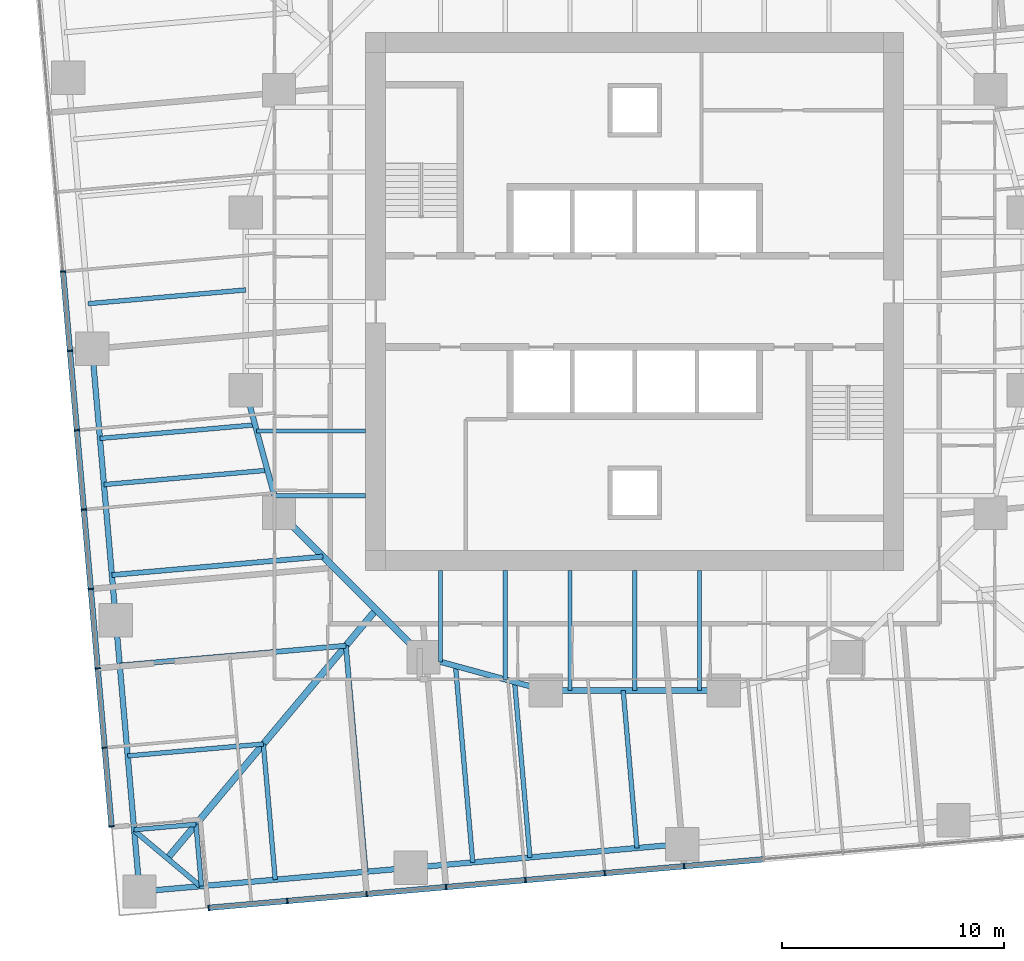
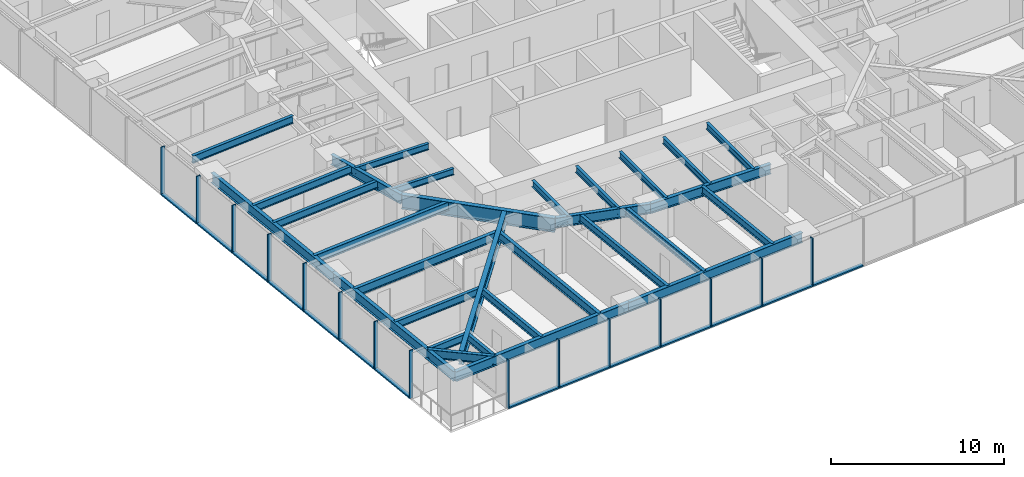
# One storey, part 2 of 14: 30 beams, 29 members, 2 elements without a shape of their own.
"""IFC4 building model written with IfcOpenShell, lengths in metres."""

from ifc_helpers import new_model, si_unit, direction, frame, origin, origin_2d, place, context, subcontext, project, spatial, rectangle, i_section, extrude, material, material_profile, profile_set, type_object, element, aggregate, save


model = new_model("IFC4")

# Units and contexts
model_context = context("Model", 3, precision=1e-05, world=origin(), true_north=direction((0.0, 1.0)))
body_context = subcontext(model_context, "Body", "Model", "MODEL_VIEW")
ifc_project = project(units=[si_unit("LENGTHUNIT", "METRE"), si_unit("AREAUNIT", "SQUARE_METRE"), si_unit("VOLUMEUNIT", "CUBIC_METRE"), si_unit("PLANEANGLEUNIT", "RADIAN"), si_unit("MASSUNIT", "GRAM", prefix="KILO")], contexts=[model_context])

# Site, building, storey
site_placement = place(None, origin())
site = spatial("IfcSite", under=ifc_project, at=site_placement, CompositionType="ELEMENT")
building_placement = place(site_placement, origin())
building = spatial("IfcBuilding", under=site, at=building_placement, Name="Torsade Residences", CompositionType="ELEMENT")
storey_placement = place(building_placement, frame((0.0, 0.0, 60.800048828125)))
storey = spatial("IfcBuildingStorey", under=building, at=storey_placement, Name="L16", CompositionType="ELEMENT", Elevation=60.800048828125)

# Beams
ifc_material_1 = material(Name="Steel grade 300", Category="steel")
ifc_material_profile_1 = material_profile(ifc_material_1, i_section(OverallWidth=0.300048828125, OverallDepth=0.89990234375, WebThickness=0.011962890625, FlangeThickness=0.02490234375, at=origin_2d()), Name="900WB175")
ifc_profile_set_1 = profile_set([ifc_material_profile_1], Name="Steel grade 300")
beam_type_1 = type_object("IfcBeamType", Name="CORNER GIRDER 900WB175", PredefinedType="BEAM", material=ifc_profile_set_1)
beam_1_placement = place(storey_placement, frame((18.978515625, 4.947509765625, 2.800048828125), z_axis=(0.642785419012, 0.766046281307, 0.0), x_axis=(-0.766046281307, 0.642785419012, 0.0)))
element("IfcBeam", 1, at=beam_1_placement, inside=storey, type_object=beam_type_1, Name="Corner girder 01 L17", PredefinedType="BEAM", context=body_context, shape_type="SweptSolid", body=[
    extrude(i_section(OverallWidth=0.300048828125, OverallDepth=0.89990234375, WebThickness=0.011962890625, FlangeThickness=0.02490234375, at=origin_2d()), origin(), (0.0, 0.0, 1.0), 14.603515625),
])
ifc_material_2 = material(Name="Steel grade 300", Category="steel")
ifc_material_profile_2 = material_profile(ifc_material_2, i_section(OverallWidth=0.22802734375, OverallDepth=0.60205078125, WebThickness=0.010498046875, FlangeThickness=0.014892578125, FilletRadius=0.013916015625, at=origin_2d()), Name="610UB101")
ifc_profile_set_2 = profile_set([ifc_material_profile_2], Name="Steel grade 300")
beam_type_2 = type_object("IfcBeamType", Name="CORNER TRIMMER 610UB101", PredefinedType="BEAM", material=ifc_profile_set_2)
beam_2_placement = place(storey_placement, frame((20.468017578125, 3.697509765625, 2.948974609375), z_axis=(-0.766030001697, 0.642804819911, 0.0), x_axis=(-0.642804819911, -0.766030001697, 0.0)))
element("IfcBeam", 2, at=beam_2_placement, inside=storey, type_object=beam_type_2, Name="Corner trimmer 01 L17", PredefinedType="BEAM", context=body_context, shape_type="SweptSolid", body=[
    extrude(i_section(OverallWidth=0.22802734375, OverallDepth=0.60205078125, WebThickness=0.010498046875, FlangeThickness=0.014892578125, FilletRadius=0.013916015625, at=origin_2d()), origin(), (0.0, 0.0, 1.0), 3.88916015625),
])

# Curtain wall, members
ifc_material_3 = material(Name="Aluminium and glass", Category="aluminium")
curtain_wall_type = type_object("IfcCurtainWallType", Name="FRITTED GLASS CURTAIN WALL LOW ZONE", PredefinedType="NOTDEFINED", material=ifc_material_3)
curtain_wall_1_placement = place(storey_placement, origin())
curtain_wall_1 = element("IfcCurtainWall", 3, at=curtain_wall_1_placement, inside=storey, type_object=curtain_wall_type, Name="Curtain wall L16 face 1", PredefinedType="NOTDEFINED")
ifc_material_4 = material(Name="Aluminium mullion", Category="aluminium")
ifc_material_profile_3 = material_profile(ifc_material_4, rectangle(XDim=0.25, YDim=0.06494140625, at=origin_2d()), Name="CURTAIN WALL MULLION 250x65")
ifc_profile_set_3 = profile_set([ifc_material_profile_3], Name="Aluminium mullion")
member_type_1 = type_object("IfcMemberType", Name="CURTAIN WALL MULLION 250x65", PredefinedType="MULLION", material=ifc_profile_set_3)
member_1_placement = place(storey_placement, frame((20.836669921875, 2.72607421875, 0.0), z_axis=(0.0, 0.0, 1.0), x_axis=(-0.087155744208, 0.996194697964, 0.0)))
member_1 = element("IfcMember", 4, at=member_1_placement, type_object=member_type_1, Name="Mullion 1", PredefinedType="MULLION", context=body_context, shape_type="SweptSolid", body=[
    extrude(rectangle(XDim=0.25, YDim=0.06494140625, at=origin_2d()), origin(), (0.0, 0.0, 1.0), 3.39990234375),
])
member_2_placement = place(storey_placement, frame((24.3740234375, 3.035400390625, 0.0), z_axis=(0.0, 0.0, 1.0), x_axis=(-0.087155744208, 0.996194697964, 0.0)))
member_2 = element("IfcMember", 5, at=member_2_placement, type_object=member_type_1, Name="Mullion 2", PredefinedType="MULLION", context=body_context, shape_type="SweptSolid", body=[
    extrude(rectangle(XDim=0.25, YDim=0.06494140625, at=origin_2d()), origin(), (0.0, 0.0, 1.0), 3.39990234375),
])
member_3_placement = place(storey_placement, frame((27.943603515625, 3.347900390625, 0.0), z_axis=(0.0, 0.0, 1.0), x_axis=(-0.087155744208, 0.996194697964, 0.0)))
member_3 = element("IfcMember", 6, at=member_3_placement, type_object=member_type_1, Name="Mullion 3", PredefinedType="MULLION", context=body_context, shape_type="SweptSolid", body=[
    extrude(rectangle(XDim=0.25, YDim=0.06494140625, at=origin_2d()), origin(), (0.0, 0.0, 1.0), 3.39990234375),
])
member_4_placement = place(storey_placement, frame((31.513427734375, 3.66015625, 0.0), z_axis=(0.0, 0.0, 1.0), x_axis=(-0.087155744208, 0.996194697964, 0.0)))
member_4 = element("IfcMember", 7, at=member_4_placement, type_object=member_type_1, Name="Mullion 4", PredefinedType="MULLION", context=body_context, shape_type="SweptSolid", body=[
    extrude(rectangle(XDim=0.25, YDim=0.06494140625, at=origin_2d()), origin(), (0.0, 0.0, 1.0), 3.39990234375),
])
member_5_placement = place(storey_placement, frame((35.0830078125, 3.972412109375, 0.0), z_axis=(0.0, 0.0, 1.0), x_axis=(-0.087155744208, 0.996194697964, 0.0)))
member_5 = element("IfcMember", 8, at=member_5_placement, type_object=member_type_1, Name="Mullion 5", PredefinedType="MULLION", context=body_context, shape_type="SweptSolid", body=[
    extrude(rectangle(XDim=0.25, YDim=0.06494140625, at=origin_2d()), origin(), (0.0, 0.0, 1.0), 3.39990234375),
])
member_6_placement = place(storey_placement, frame((38.65283203125, 4.28466796875, 0.0), z_axis=(0.0, 0.0, 1.0), x_axis=(-0.087155744208, 0.996194697964, 0.0)))
member_6 = element("IfcMember", 9, at=member_6_placement, type_object=member_type_1, Name="Mullion 6", PredefinedType="MULLION", context=body_context, shape_type="SweptSolid", body=[
    extrude(rectangle(XDim=0.25, YDim=0.06494140625, at=origin_2d()), origin(), (0.0, 0.0, 1.0), 3.39990234375),
])
member_7_placement = place(storey_placement, frame((42.222412109375, 4.596923828125, 0.0), z_axis=(0.0, 0.0, 1.0), x_axis=(-0.087155744208, 0.996194697964, 0.0)))
member_7 = element("IfcMember", 10, at=member_7_placement, type_object=member_type_1, Name="Mullion 7", PredefinedType="MULLION", context=body_context, shape_type="SweptSolid", body=[
    extrude(rectangle(XDim=0.25, YDim=0.06494140625, at=origin_2d()), origin(), (0.0, 0.0, 1.0), 3.39990234375),
])

curtain_wall_2_placement = place(storey_placement, origin())
curtain_wall_2 = element("IfcCurtainWall", 11, at=curtain_wall_2_placement, inside=storey, type_object=curtain_wall_type, Name="Curtain wall L16 face 10", PredefinedType="NOTDEFINED")
member_8_placement = place(storey_placement, frame((14.28466796875, 31.34716796875, 0.0), z_axis=(0.0, 0.0, 1.0), x_axis=(0.996194697964, 0.087155744208, 0.0)))
member_8 = element("IfcMember", 12, at=member_8_placement, type_object=member_type_1, Name="Mullion 6", PredefinedType="MULLION", context=body_context, shape_type="SweptSolid", body=[
    extrude(rectangle(XDim=0.25, YDim=0.06494140625, at=origin_2d()), origin(), (0.0, 0.0, 1.0), 3.39990234375),
])
member_9_placement = place(storey_placement, frame((14.596923828125, 27.777587890625, 0.0), z_axis=(0.0, 0.0, 1.0), x_axis=(0.996194697964, 0.087155744208, 0.0)))
member_9 = element("IfcMember", 13, at=member_9_placement, type_object=member_type_1, Name="Mullion 7", PredefinedType="MULLION", context=body_context, shape_type="SweptSolid", body=[
    extrude(rectangle(XDim=0.25, YDim=0.06494140625, at=origin_2d()), origin(), (0.0, 0.0, 1.0), 3.39990234375),
])
member_10_placement = place(storey_placement, frame((14.909423828125, 24.207763671875, 0.0), z_axis=(0.0, 0.0, 1.0), x_axis=(0.996194697964, 0.087155744208, 0.0)))
member_10 = element("IfcMember", 14, at=member_10_placement, type_object=member_type_1, Name="Mullion 8", PredefinedType="MULLION", context=body_context, shape_type="SweptSolid", body=[
    extrude(rectangle(XDim=0.25, YDim=0.06494140625, at=origin_2d()), origin(), (0.0, 0.0, 1.0), 3.39990234375),
])
member_11_placement = place(storey_placement, frame((15.2216796875, 20.63818359375, 0.0), z_axis=(0.0, 0.0, 1.0), x_axis=(0.996194697964, 0.087155744208, 0.0)))
member_11 = element("IfcMember", 15, at=member_11_placement, type_object=member_type_1, Name="Mullion 9", PredefinedType="MULLION", context=body_context, shape_type="SweptSolid", body=[
    extrude(rectangle(XDim=0.25, YDim=0.06494140625, at=origin_2d()), origin(), (0.0, 0.0, 1.0), 3.39990234375),
])
member_12_placement = place(storey_placement, frame((15.533935546875, 17.068359375, 0.0), z_axis=(0.0, 0.0, 1.0), x_axis=(0.996194697964, 0.087155744208, 0.0)))
member_12 = element("IfcMember", 16, at=member_12_placement, type_object=member_type_1, Name="Mullion 10", PredefinedType="MULLION", context=body_context, shape_type="SweptSolid", body=[
    extrude(rectangle(XDim=0.25, YDim=0.06494140625, at=origin_2d()), origin(), (0.0, 0.0, 1.0), 3.39990234375),
])
member_13_placement = place(storey_placement, frame((15.84619140625, 13.498779296875, 0.0), z_axis=(0.0, 0.0, 1.0), x_axis=(0.996194697964, 0.087155744208, 0.0)))
member_13 = element("IfcMember", 17, at=member_13_placement, type_object=member_type_1, Name="Mullion 11", PredefinedType="MULLION", context=body_context, shape_type="SweptSolid", body=[
    extrude(rectangle(XDim=0.25, YDim=0.06494140625, at=origin_2d()), origin(), (0.0, 0.0, 1.0), 3.39990234375),
])
member_14_placement = place(storey_placement, frame((16.15869140625, 9.928955078125, 0.0), z_axis=(0.0, 0.0, 1.0), x_axis=(0.996194697964, 0.087155744208, 0.0)))
member_14 = element("IfcMember", 18, at=member_14_placement, type_object=member_type_1, Name="Mullion 12", PredefinedType="MULLION", context=body_context, shape_type="SweptSolid", body=[
    extrude(rectangle(XDim=0.25, YDim=0.06494140625, at=origin_2d()), origin(), (0.0, 0.0, 1.0), 3.39990234375),
])
member_15_placement = place(storey_placement, frame((16.468017578125, 6.3916015625, 0.0), z_axis=(0.0, 0.0, 1.0), x_axis=(0.996194697964, 0.087155744208, 0.0)))
member_15 = element("IfcMember", 19, at=member_15_placement, type_object=member_type_1, Name="Mullion 13", PredefinedType="MULLION", context=body_context, shape_type="SweptSolid", body=[
    extrude(rectangle(XDim=0.25, YDim=0.06494140625, at=origin_2d()), origin(), (0.0, 0.0, 1.0), 3.39990234375),
])

# Member
ifc_material_5 = material(Name="Aluminium transom", Category="aluminium")
ifc_material_profile_4 = material_profile(ifc_material_5, rectangle(XDim=0.25, YDim=0.10009765625, at=origin_2d()), Name="CURTAIN WALL TRANSOM 250x100")
ifc_profile_set_4 = profile_set([ifc_material_profile_4], Name="Aluminium transom")
member_type_2 = type_object("IfcMemberType", Name="CURTAIN WALL TRANSOM 250x100", PredefinedType="USERDEFINED", material=ifc_profile_set_4)
member_16_placement = place(storey_placement, frame((20.869140625, 2.728759765625, 0.050048828125), z_axis=(0.996190751941, 0.0872008357, 0.0), x_axis=(-0.0872008357, 0.996190751941, 0.0)))
member_16 = element("IfcMember", 20, at=member_16_placement, type_object=member_type_2, Name="Transom 1.1", ObjectType="TRANSOM", PredefinedType="USERDEFINED", context=body_context, shape_type="SweptSolid", body=[
    extrude(rectangle(XDim=0.25, YDim=0.10009765625, at=origin_2d()), origin(), (0.0, 0.0, 1.0), 3.485595703125),
])

member_17_placement = place(storey_placement, frame((24.40625, 3.038330078125, 0.050048828125), z_axis=(0.996195148363, 0.08715059597, 0.0), x_axis=(-0.08715059597, 0.996195148363, 0.0)))
member_17 = element("IfcMember", 21, at=member_17_placement, type_object=member_type_2, Name="Transom 2.1", ObjectType="TRANSOM", PredefinedType="USERDEFINED", context=body_context, shape_type="SweptSolid", body=[
    extrude(rectangle(XDim=0.25, YDim=0.10009765625, at=origin_2d()), origin(), (0.0, 0.0, 1.0), 3.5185546875),
])

member_18_placement = place(storey_placement, frame((27.97607421875, 3.3505859375, 0.050048828125), z_axis=(0.996194621295, 0.087156620531, 0.0), x_axis=(-0.087156620531, 0.996194621295, 0.0)))
member_18 = element("IfcMember", 22, at=member_18_placement, type_object=member_type_2, Name="Transom 3.1", ObjectType="TRANSOM", PredefinedType="USERDEFINED", context=body_context, shape_type="SweptSolid", body=[
    extrude(rectangle(XDim=0.25, YDim=0.10009765625, at=origin_2d()), origin(), (0.0, 0.0, 1.0), 3.518310546875),
])

member_19_placement = place(storey_placement, frame((31.545654296875, 3.662841796875, 0.050048828125), z_axis=(0.996195148363, 0.08715059597, 0.0), x_axis=(-0.08715059597, 0.996195148363, 0.0)))
member_19 = element("IfcMember", 23, at=member_19_placement, type_object=member_type_2, Name="Transom 4.1", ObjectType="TRANSOM", PredefinedType="USERDEFINED", context=body_context, shape_type="SweptSolid", body=[
    extrude(rectangle(XDim=0.25, YDim=0.10009765625, at=origin_2d()), origin(), (0.0, 0.0, 1.0), 3.5185546875),
])

member_20_placement = place(storey_placement, frame((35.115478515625, 3.975341796875, 0.050048828125), z_axis=(0.996194621295, 0.087156620531, 0.0), x_axis=(-0.087156620531, 0.996194621295, 0.0)))
member_20 = element("IfcMember", 24, at=member_20_placement, type_object=member_type_2, Name="Transom 5.1", ObjectType="TRANSOM", PredefinedType="USERDEFINED", context=body_context, shape_type="SweptSolid", body=[
    extrude(rectangle(XDim=0.25, YDim=0.10009765625, at=origin_2d()), origin(), (0.0, 0.0, 1.0), 3.518310546875),
])

member_21_placement = place(storey_placement, frame((38.68505859375, 4.28759765625, 0.050048828125), z_axis=(0.996195148363, 0.08715059597, 0.0), x_axis=(-0.08715059597, 0.996195148363, 0.0)))
member_21 = element("IfcMember", 25, at=member_21_placement, type_object=member_type_2, Name="Transom 6.1", ObjectType="TRANSOM", PredefinedType="USERDEFINED", context=body_context, shape_type="SweptSolid", body=[
    extrude(rectangle(XDim=0.25, YDim=0.10009765625, at=origin_2d()), origin(), (0.0, 0.0, 1.0), 3.5185546875),
])

member_22_placement = place(storey_placement, frame((42.2548828125, 4.599853515625, 0.050048828125), z_axis=(0.996194621295, 0.087156620531, 0.0), x_axis=(-0.087156620531, 0.996194621295, 0.0)))
member_22 = element("IfcMember", 26, at=member_22_placement, type_object=member_type_2, Name="Transom 7.1", ObjectType="TRANSOM", PredefinedType="USERDEFINED", context=body_context, shape_type="SweptSolid", body=[
    extrude(rectangle(XDim=0.25, YDim=0.10009765625, at=origin_2d()), origin(), (0.0, 0.0, 1.0), 3.518310546875),
])

aggregate(curtain_wall_1, [member_1, member_2, member_3, member_4, member_5, member_6, member_7, member_16, member_17, member_18, member_19, member_20, member_21, member_22])

member_23_placement = place(storey_placement, frame((14.28759765625, 31.31494140625, 0.050048828125), z_axis=(0.08715059597, -0.996195148363, 0.0), x_axis=(0.996195148363, 0.08715059597, 0.0)))
member_23 = element("IfcMember", 27, at=member_23_placement, type_object=member_type_2, Name="Transom 6.1", ObjectType="TRANSOM", PredefinedType="USERDEFINED", context=body_context, shape_type="SweptSolid", body=[
    extrude(rectangle(XDim=0.25, YDim=0.10009765625, at=origin_2d()), origin(), (0.0, 0.0, 1.0), 3.5185546875),
])

member_24_placement = place(storey_placement, frame((14.599853515625, 27.7451171875, 0.050048828125), z_axis=(0.087156620531, -0.996194621295, 0.0), x_axis=(0.996194621295, 0.087156620531, 0.0)))
member_24 = element("IfcMember", 28, at=member_24_placement, type_object=member_type_2, Name="Transom 7.1", ObjectType="TRANSOM", PredefinedType="USERDEFINED", context=body_context, shape_type="SweptSolid", body=[
    extrude(rectangle(XDim=0.25, YDim=0.10009765625, at=origin_2d()), origin(), (0.0, 0.0, 1.0), 3.518310546875),
])

member_25_placement = place(storey_placement, frame((14.912109375, 24.175537109375, 0.050048828125), z_axis=(0.08715059597, -0.996195148363, 0.0), x_axis=(0.996195148363, 0.08715059597, 0.0)))
member_25 = element("IfcMember", 29, at=member_25_placement, type_object=member_type_2, Name="Transom 8.1", ObjectType="TRANSOM", PredefinedType="USERDEFINED", context=body_context, shape_type="SweptSolid", body=[
    extrude(rectangle(XDim=0.25, YDim=0.10009765625, at=origin_2d()), origin(), (0.0, 0.0, 1.0), 3.5185546875),
])

member_26_placement = place(storey_placement, frame((15.224365234375, 20.605712890625, 0.050048828125), z_axis=(0.087156620531, -0.996194621295, 0.0), x_axis=(0.996194621295, 0.087156620531, 0.0)))
member_26 = element("IfcMember", 30, at=member_26_placement, type_object=member_type_2, Name="Transom 9.1", ObjectType="TRANSOM", PredefinedType="USERDEFINED", context=body_context, shape_type="SweptSolid", body=[
    extrude(rectangle(XDim=0.25, YDim=0.10009765625, at=origin_2d()), origin(), (0.0, 0.0, 1.0), 3.518310546875),
])

member_27_placement = place(storey_placement, frame((15.536865234375, 17.0361328125, 0.050048828125), z_axis=(0.08715059597, -0.996195148363, 0.0), x_axis=(0.996195148363, 0.08715059597, 0.0)))
member_27 = element("IfcMember", 31, at=member_27_placement, type_object=member_type_2, Name="Transom 10.1", ObjectType="TRANSOM", PredefinedType="USERDEFINED", context=body_context, shape_type="SweptSolid", body=[
    extrude(rectangle(XDim=0.25, YDim=0.10009765625, at=origin_2d()), origin(), (0.0, 0.0, 1.0), 3.5185546875),
])

member_28_placement = place(storey_placement, frame((15.84912109375, 13.46630859375, 0.050048828125), z_axis=(0.087156620531, -0.996194621295, 0.0), x_axis=(0.996194621295, 0.087156620531, 0.0)))
member_28 = element("IfcMember", 32, at=member_28_placement, type_object=member_type_2, Name="Transom 11.1", ObjectType="TRANSOM", PredefinedType="USERDEFINED", context=body_context, shape_type="SweptSolid", body=[
    extrude(rectangle(XDim=0.25, YDim=0.10009765625, at=origin_2d()), origin(), (0.0, 0.0, 1.0), 3.518310546875),
])

member_29_placement = place(storey_placement, frame((16.161376953125, 9.896728515625, 0.050048828125), z_axis=(0.08719475177, -0.996191284475, 0.0), x_axis=(0.996191284475, 0.08719475177, 0.0)))
member_29 = element("IfcMember", 33, at=member_29_placement, type_object=member_type_2, Name="Transom 12.1", ObjectType="TRANSOM", PredefinedType="USERDEFINED", context=body_context, shape_type="SweptSolid", body=[
    extrude(rectangle(XDim=0.25, YDim=0.10009765625, at=origin_2d()), origin(), (0.0, 0.0, 1.0), 3.48583984375),
])

aggregate(curtain_wall_2, [member_8, member_9, member_10, member_11, member_12, member_13, member_14, member_15, member_23, member_24, member_25, member_26, member_27, member_28, member_29])

# Beams
ifc_material_6 = material(Name="Steel grade 300", Category="steel")
ifc_material_profile_5 = material_profile(ifc_material_6, i_section(OverallWidth=0.25, OverallDepth=0.699951171875, WebThickness=0.010009765625, FlangeThickness=0.02001953125, at=origin_2d()), Name="700WB130")
ifc_profile_set_5 = profile_set([ifc_material_profile_5], Name="Steel grade 300")
beam_type_3 = type_object("IfcBeamType", Name="EDGE BEAM 700WB130", PredefinedType="SPANDREL", material=ifc_profile_set_5)
for number, where, z_axis, x_axis, name in (
    (34, (17.728515625, 3.4580078125, 2.89990234375), (0.996194907201, 0.08715335259, 0.0), (-0.08715335259, 0.996194907201, 0.0), "Edge beam 01 L17"),
    (35, (29.931884765625, 4.525634765625, 2.89990234375), (0.996194907201, 0.08715335259, 0.0), (-0.08715335259, 0.996194907201, 0.0), "Edge beam 02 L17"),
    (36, (15.59326171875, 27.86474609375, 2.89990234375), (0.08715335259, -0.996194907201, 0.0), (0.996194907201, 0.08715335259, 0.0), "Edge beam 15 L17"),
    (37, (16.660888671875, 15.661376953125, 2.89990234375), (0.08715335259, -0.996194907201, 0.0), (0.996194907201, 0.08715335259, 0.0), "Edge beam 16 L17"),
):
    element("IfcBeam", number, at=place(storey_placement, frame(where, z_axis=z_axis, x_axis=x_axis)), inside=storey, type_object=beam_type_3, Name=name, PredefinedType="SPANDREL", context=body_context, shape_type="SweptSolid", body=[
        extrude(i_section(OverallWidth=0.25, OverallDepth=0.699951171875, WebThickness=0.010009765625, FlangeThickness=0.02001953125, at=origin_2d()), origin(), (0.0, 0.0, 1.0), 12.25),
    ])
ifc_material_7 = material(Name="Steel grade 300", Category="steel")
ifc_material_profile_6 = material_profile(ifc_material_7, i_section(OverallWidth=0.18994140625, OverallDepth=0.4541015625, WebThickness=0.008544921875, FlangeThickness=0.0126953125, FilletRadius=0.011474609375, at=origin_2d()), Name="460UB67.1")
ifc_profile_set_6 = profile_set([ifc_material_profile_6], Name="Steel grade 300")
beam_type_4 = type_object("IfcBeamType", Name="INNER FLOOR BEAM 460UB67.1", PredefinedType="JOIST", material=ifc_profile_set_6)
for number, where, z_axis, x_axis, name in (
    (38, (42.91259765625, 17.89990234375, 3.02294921875), (0.0, -1.0, 0.0), (1.0, 0.0, 0.0), "Inner floor beam IS03 L17"),
    (39, (40.0, 17.89990234375, 3.02294921875), (0.0, -1.0, 0.0), (1.0, 0.0, 0.0), "Inner floor beam IS04 L17"),
    (40, (37.08740234375, 17.89990234375, 3.02294921875), (0.0, -1.0, 0.0), (1.0, 0.0, 0.0), "Inner floor beam IS05 L17"),
):
    element("IfcBeam", number, at=place(storey_placement, frame(where, z_axis=z_axis, x_axis=x_axis)), inside=storey, type_object=beam_type_4, Name=name, PredefinedType="JOIST", context=body_context, shape_type="SweptSolid", body=[
        extrude(i_section(OverallWidth=0.18994140625, OverallDepth=0.4541015625, WebThickness=0.008544921875, FlangeThickness=0.0126953125, FilletRadius=0.011474609375, at=origin_2d()), origin(), (0.0, 0.0, 1.0), 5.39990234375),
    ])
beam_3_placement = place(storey_placement, frame((34.175048828125, 17.89990234375, 3.02294921875), z_axis=(0.0, -1.0, 0.0), x_axis=(1.0, 0.0, 0.0)))
element("IfcBeam", 41, at=beam_3_placement, inside=storey, type_object=beam_type_4, Name="Inner floor beam IS06 L17", PredefinedType="JOIST", context=body_context, shape_type="SweptSolid", body=[
    extrude(i_section(OverallWidth=0.18994140625, OverallDepth=0.4541015625, WebThickness=0.008544921875, FlangeThickness=0.0126953125, FilletRadius=0.011474609375, at=origin_2d()), origin(), (0.0, 0.0, 1.0), 4.902099609375),
])
beam_4_placement = place(storey_placement, frame((31.262451171875, 17.89990234375, 3.02294921875), z_axis=(0.0, -1.0, 0.0), x_axis=(1.0, 0.0, 0.0)))
element("IfcBeam", 42, at=beam_4_placement, inside=storey, type_object=beam_type_4, Name="Inner floor beam IS07 L17", PredefinedType="JOIST", context=body_context, shape_type="SweptSolid", body=[
    extrude(i_section(OverallWidth=0.18994140625, OverallDepth=0.4541015625, WebThickness=0.008544921875, FlangeThickness=0.0126953125, FilletRadius=0.011474609375, at=origin_2d()), origin(), (0.0, 0.0, 1.0), 4.10791015625),
])
beam_5_placement = place(storey_placement, frame((27.89990234375, 24.175048828125, 3.02294921875), z_axis=(-1.0, 0.0, 0.0), x_axis=(0.0, -1.0, 0.0)))
element("IfcBeam", 43, at=beam_5_placement, inside=storey, type_object=beam_type_4, Name="Inner floor beam IW06 L17", PredefinedType="JOIST", context=body_context, shape_type="SweptSolid", body=[
    extrude(i_section(OverallWidth=0.18994140625, OverallDepth=0.4541015625, WebThickness=0.008544921875, FlangeThickness=0.0126953125, FilletRadius=0.011474609375, at=origin_2d()), origin(), (0.0, 0.0, 1.0), 4.902099609375),
])
beam_6_placement = place(storey_placement, frame((27.89990234375, 21.262451171875, 3.02294921875), z_axis=(-1.0, 0.0, 0.0), x_axis=(0.0, -1.0, 0.0)))
element("IfcBeam", 44, at=beam_6_placement, inside=storey, type_object=beam_type_4, Name="Inner floor beam IW07 L17", PredefinedType="JOIST", context=body_context, shape_type="SweptSolid", body=[
    extrude(i_section(OverallWidth=0.18994140625, OverallDepth=0.4541015625, WebThickness=0.008544921875, FlangeThickness=0.0126953125, FilletRadius=0.011474609375, at=origin_2d()), origin(), (0.0, 0.0, 1.0), 4.10791015625),
])
ifc_material_8 = material(Name="Steel grade 300", Category="steel")
ifc_material_profile_7 = material_profile(ifc_material_8, i_section(OverallWidth=0.300048828125, OverallDepth=1.0, WebThickness=0.01611328125, FlangeThickness=0.028076171875, at=origin_2d()), Name="1000WB215")
ifc_profile_set_7 = profile_set([ifc_material_profile_7], Name="Steel grade 300")
beam_type_5 = type_object("IfcBeamType", Name="RING CORNER GIRDER 1000WB215", PredefinedType="BEAM", material=ifc_profile_set_7)
beam_7_placement = place(storey_placement, frame((24.0, 20.5, 2.75), z_axis=(0.707106781187, -0.707106781187, 0.0), x_axis=(0.707106781187, 0.707106781187, 0.0)))
element("IfcBeam", 45, at=beam_7_placement, inside=storey, type_object=beam_type_5, Name="Ring girder IR11 L17", PredefinedType="BEAM", context=body_context, shape_type="SweptSolid", body=[
    extrude(i_section(OverallWidth=0.300048828125, OverallDepth=1.0, WebThickness=0.01611328125, FlangeThickness=0.028076171875, at=origin_2d()), origin(), (0.0, 0.0, 1.0), 9.1923828125),
])
ifc_material_9 = material(Name="Steel grade 300", Category="steel")
ifc_material_profile_8 = material_profile(ifc_material_9, i_section(OverallWidth=0.25, OverallDepth=0.699951171875, WebThickness=0.010009765625, FlangeThickness=0.02001953125, at=origin_2d()), Name="700WB130")
ifc_profile_set_8 = profile_set([ifc_material_profile_8], Name="Steel grade 300")
beam_type_6 = type_object("IfcBeamType", Name="RING GIRDER 700WB130", PredefinedType="BEAM", material=ifc_profile_set_8)
for number, where, z_axis, x_axis, name in (
    (46, (22.5, 26.0, 2.89990234375), (0.263117405792, -0.964763821238, 0.0), (0.964763821238, 0.263117405792, 0.0), "Ring girder IR10 L17"),
    (47, (30.5, 14.0, 2.89990234375), (0.964763821238, -0.263117405792, 0.0), (0.263117405792, 0.964763821238, 0.0), "Ring girder IR12 L17"),
):
    element("IfcBeam", number, at=place(storey_placement, frame(where, z_axis=z_axis, x_axis=x_axis)), inside=storey, type_object=beam_type_6, Name=name, PredefinedType="BEAM", context=body_context, shape_type="SweptSolid", body=[
        extrude(i_section(OverallWidth=0.25, OverallDepth=0.699951171875, WebThickness=0.010009765625, FlangeThickness=0.02001953125, at=origin_2d()), origin(), (0.0, 0.0, 1.0), 5.700927734375),
    ])
beam_8_placement = place(storey_placement, frame((36.0, 12.5, 2.89990234375), z_axis=(1.0, 0.0, 0.0), x_axis=(0.0, 1.0, 0.0)))
element("IfcBeam", 48, at=beam_8_placement, inside=storey, type_object=beam_type_6, Name="Ring girder IR13 L17", PredefinedType="BEAM", context=body_context, shape_type="SweptSolid", body=[
    extrude(i_section(OverallWidth=0.25, OverallDepth=0.699951171875, WebThickness=0.010009765625, FlangeThickness=0.02001953125, at=origin_2d()), origin(), (0.0, 0.0, 1.0), 8.0),
])
ifc_material_10 = material(Name="Steel grade 300", Category="steel")
ifc_material_profile_9 = material_profile(ifc_material_10, i_section(OverallWidth=0.208984375, OverallDepth=0.528076171875, WebThickness=0.009521484375, FlangeThickness=0.01318359375, FilletRadius=0.013916015625, at=origin_2d()), Name="530UB82.0")
ifc_profile_set_9 = profile_set([ifc_material_profile_9], Name="Steel grade 300")
beam_type_7 = type_object("IfcBeamType", Name="SECONDARY BEAM 530UB82.0", PredefinedType="JOIST", material=ifc_profile_set_9)
beam_9_placement = place(storey_placement, frame((20.509521484375, 3.701171875, 2.98583984375), z_axis=(-0.087105111923, 0.996199126418, 0.0), x_axis=(-0.996199126418, -0.087105111923, 0.0)))
element("IfcBeam", 49, at=beam_9_placement, inside=storey, type_object=beam_type_7, Name="Floor beam FS01 L17", PredefinedType="JOIST", context=body_context, shape_type="SweptSolid", body=[
    extrude(i_section(OverallWidth=0.208984375, OverallDepth=0.528076171875, WebThickness=0.009521484375, FlangeThickness=0.01318359375, FilletRadius=0.013916015625, at=origin_2d()), origin(), (0.0, 0.0, 1.0), 2.79150390625),
])
beam_10_placement = place(storey_placement, frame((23.830322265625, 3.99169921875, 2.98583984375), z_axis=(-0.087171400335, 0.996193328106, 0.0), x_axis=(-0.996193328106, -0.087171400335, 0.0)))
element("IfcBeam", 50, at=beam_10_placement, inside=storey, type_object=beam_type_7, Name="Floor beam FS02 L17", PredefinedType="JOIST", context=body_context, shape_type="SweptSolid", body=[
    extrude(i_section(OverallWidth=0.208984375, OverallDepth=0.528076171875, WebThickness=0.009521484375, FlangeThickness=0.01318359375, FilletRadius=0.013916015625, at=origin_2d()), origin(), (0.0, 0.0, 1.0), 6.125244140625),
])
beam_11_placement = place(storey_placement, frame((32.712890625, 4.768798828125, 2.98583984375), z_axis=(-0.08714612802, 0.996195539225, 0.0), x_axis=(-0.996195539225, -0.08714612802, 0.0)))
element("IfcBeam", 51, at=beam_11_placement, inside=storey, type_object=beam_type_7, Name="Floor beam FS04 L17", PredefinedType="JOIST", context=body_context, shape_type="SweptSolid", body=[
    extrude(i_section(OverallWidth=0.208984375, OverallDepth=0.528076171875, WebThickness=0.009521484375, FlangeThickness=0.01318359375, FilletRadius=0.013916015625, at=origin_2d()), origin(), (0.0, 0.0, 1.0), 8.872314453125),
])
beam_12_placement = place(storey_placement, frame((35.286376953125, 4.994140625, 2.98583984375), z_axis=(-0.087157771408, 0.996194520605, 0.0), x_axis=(-0.996194520605, -0.087157771408, 0.0)))
element("IfcBeam", 52, at=beam_12_placement, inside=storey, type_object=beam_type_7, Name="Floor beam FS05 L17", PredefinedType="JOIST", context=body_context, shape_type="SweptSolid", body=[
    extrude(i_section(OverallWidth=0.208984375, OverallDepth=0.528076171875, WebThickness=0.009521484375, FlangeThickness=0.01318359375, FilletRadius=0.013916015625, at=origin_2d()), origin(), (0.0, 0.0, 1.0), 7.918701171875),
])
for number, where, z_axis, x_axis, name in (
    (53, (40.101318359375, 5.415283203125, 2.98583984375), (-0.087127345813, 0.996197182094, 0.0), (-0.996197182094, -0.087127345813, 0.0), "Floor beam FS06 L17"),
    (54, (15.415283203125, 29.898681640625, 2.98583984375), (0.996197182094, 0.087127345813, 0.0), (-0.087127345813, 0.996197182094, 0.0), "Floor beam FW06 L17"),
):
    element("IfcBeam", number, at=place(storey_placement, frame(where, z_axis=z_axis, x_axis=x_axis)), inside=storey, type_object=beam_type_7, Name=name, PredefinedType="JOIST", context=body_context, shape_type="SweptSolid", body=[
        extrude(i_section(OverallWidth=0.208984375, OverallDepth=0.528076171875, WebThickness=0.009521484375, FlangeThickness=0.01318359375, FilletRadius=0.013916015625, at=origin_2d()), origin(), (0.0, 0.0, 1.0), 7.11181640625),
    ])
beam_13_placement = place(storey_placement, frame((15.945556640625, 23.83837890625, 2.98583984375), z_axis=(0.99619296077, 0.087175598142, 0.0), x_axis=(-0.087175598142, 0.99619296077, 0.0)))
element("IfcBeam", 55, at=beam_13_placement, inside=storey, type_object=beam_type_7, Name="Floor beam FW07 L17", PredefinedType="JOIST", context=body_context, shape_type="SweptSolid", body=[
    extrude(i_section(OverallWidth=0.208984375, OverallDepth=0.528076171875, WebThickness=0.009521484375, FlangeThickness=0.01318359375, FilletRadius=0.013916015625, at=origin_2d()), origin(), (0.0, 0.0, 1.0), 7.004150390625),
])
beam_14_placement = place(storey_placement, frame((16.126953125, 21.762939453125, 2.98583984375), z_axis=(0.996194650902, 0.087156282128, 0.0), x_axis=(-0.087156282128, 0.996194650902, 0.0)))
element("IfcBeam", 56, at=beam_14_placement, inside=storey, type_object=beam_type_7, Name="Floor beam FW08 L17", PredefinedType="JOIST", context=body_context, shape_type="SweptSolid", body=[
    extrude(i_section(OverallWidth=0.208984375, OverallDepth=0.528076171875, WebThickness=0.009521484375, FlangeThickness=0.01318359375, FilletRadius=0.013916015625, at=origin_2d()), origin(), (0.0, 0.0, 1.0), 7.381103515625),
])
beam_15_placement = place(storey_placement, frame((17.19482421875, 9.5595703125, 2.98583984375), z_axis=(0.996193025206, 0.087174861801, 0.0), x_axis=(-0.087174861801, 0.996193025206, 0.0)))
element("IfcBeam", 57, at=beam_15_placement, inside=storey, type_object=beam_type_7, Name="Floor beam FW11 L17", PredefinedType="JOIST", context=body_context, shape_type="SweptSolid", body=[
    extrude(i_section(OverallWidth=0.208984375, OverallDepth=0.528076171875, WebThickness=0.009521484375, FlangeThickness=0.01318359375, FilletRadius=0.013916015625, at=origin_2d()), origin(), (0.0, 0.0, 1.0), 6.125),
])
beam_16_placement = place(storey_placement, frame((17.4853515625, 6.239013671875, 2.98583984375), z_axis=(0.996199126418, 0.087105111923, 0.0), x_axis=(-0.087105111923, 0.996199126418, 0.0)))
element("IfcBeam", 58, at=beam_16_placement, inside=storey, type_object=beam_type_7, Name="Floor beam FW12 L17", PredefinedType="JOIST", context=body_context, shape_type="SweptSolid", body=[
    extrude(i_section(OverallWidth=0.208984375, OverallDepth=0.528076171875, WebThickness=0.009521484375, FlangeThickness=0.01318359375, FilletRadius=0.013916015625, at=origin_2d()), origin(), (0.0, 0.0, 1.0), 2.79150390625),
])
ifc_material_11 = material(Name="Steel grade 300", Category="steel")
ifc_material_profile_10 = material_profile(ifc_material_11, i_section(OverallWidth=0.22900390625, OverallDepth=0.612060546875, WebThickness=0.011962890625, FlangeThickness=0.01953125, FilletRadius=0.013916015625, at=origin_2d()), Name="610UB125")
ifc_profile_set_10 = profile_set([ifc_material_profile_10], Name="Steel grade 300")
beam_type_8 = type_object("IfcBeamType", Name="SECONDARY BEAM 610UB125", PredefinedType="JOIST", material=ifc_profile_set_10)
beam_17_placement = place(storey_placement, frame((27.89794921875, 4.34765625, 2.94384765625), z_axis=(-0.087149742944, 0.996195222988, 0.0), x_axis=(-0.996195222988, -0.087149742944, 0.0)))
element("IfcBeam", 59, at=beam_17_placement, inside=storey, type_object=beam_type_8, Name="Floor beam FS03 L17", PredefinedType="JOIST", context=body_context, shape_type="SweptSolid", body=[
    extrude(i_section(OverallWidth=0.22900390625, OverallDepth=0.612060546875, WebThickness=0.011962890625, FlangeThickness=0.01953125, FilletRadius=0.013916015625, at=origin_2d()), origin(), (0.0, 0.0, 1.0), 10.208251953125),
])
beam_18_placement = place(storey_placement, frame((16.48291015625, 17.6953125, 2.94384765625), z_axis=(0.996195358323, 0.087148195942, 0.0), x_axis=(-0.087148195942, 0.996195358323, 0.0)))
element("IfcBeam", 60, at=beam_18_placement, inside=storey, type_object=beam_type_8, Name="Floor beam FW09 L17", PredefinedType="JOIST", context=body_context, shape_type="SweptSolid", body=[
    extrude(i_section(OverallWidth=0.22900390625, OverallDepth=0.612060546875, WebThickness=0.011962890625, FlangeThickness=0.01953125, FilletRadius=0.013916015625, at=origin_2d()), origin(), (0.0, 0.0, 1.0), 9.527587890625),
])
beam_19_placement = place(storey_placement, frame((16.8388671875, 13.62744140625, 2.94384765625), z_axis=(0.996195222988, 0.087149742944, 0.0), x_axis=(-0.087149742944, 0.996195222988, 0.0)))
element("IfcBeam", 61, at=beam_19_placement, inside=storey, type_object=beam_type_8, Name="Floor beam FW10 L17", PredefinedType="JOIST", context=body_context, shape_type="SweptSolid", body=[
    extrude(i_section(OverallWidth=0.22900390625, OverallDepth=0.612060546875, WebThickness=0.011962890625, FlangeThickness=0.01953125, FilletRadius=0.013916015625, at=origin_2d()), origin(), (0.0, 0.0, 1.0), 10.208251953125),
])

save(model, "model.ifc")
